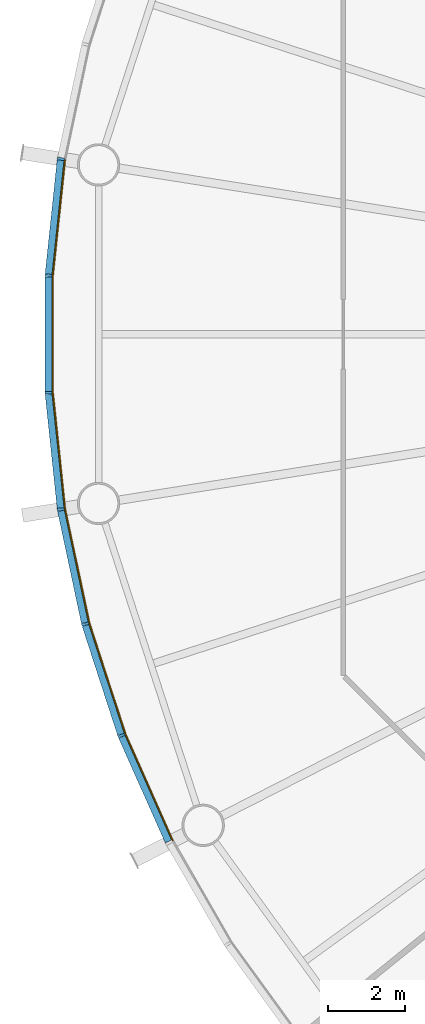
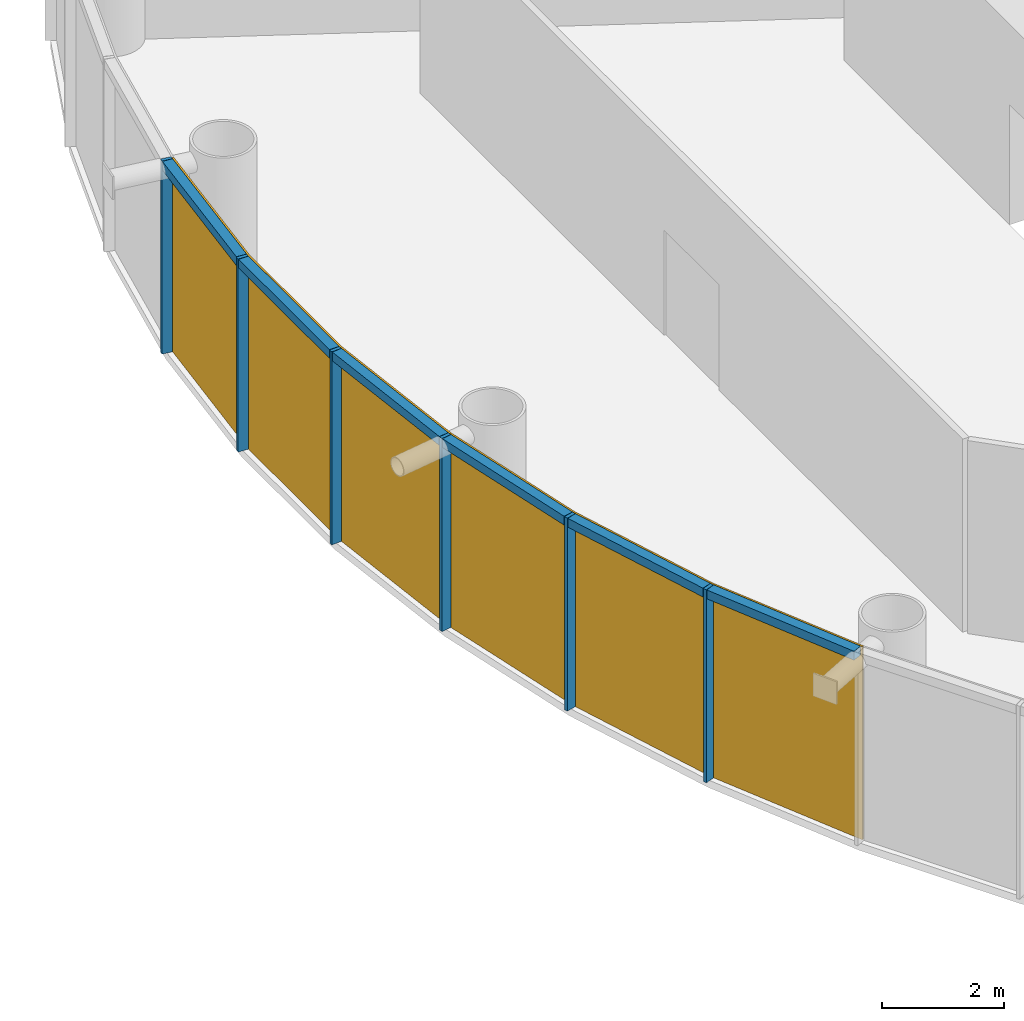
# One storey, part 12 of 17: 12 members, 2 curtain walls.
"""IFC4 building model written with IfcOpenShell, lengths in metres."""

import ifcopenshell
import ifcopenshell.guid

model = None  # the IFC model being written
_history = None  # IfcOwnerHistory: only IFC2X3 demands one
_inside = {}  # id of a spatial element -> (the spatial element, [elements in it])
_under = {}  # id of a project, library or spatial element -> (it, [spatial elements below it])
_declared = {}  # id of a project -> (the project, [libraries it declares])
_typed = {}  # id of a type object -> (the type object, [elements of that type])
_made_of = {}  # id of a material, layer set ... -> (it, [elements and type objects made of it])


def new_model(schema):
    """Start an empty IFC model of exactly this schema.

    Asked for "IFC4X3", IfcOpenShell would pick the latest addendum, in which some entities
    have other attributes; the version numbers below select the first issue.
    IFC2X3 requires an IfcOwnerHistory on every rooted entity: one is made here for all.
    """
    global model, _history
    if schema == "IFC4X3":
        model = ifcopenshell.file(schema_version=(4, 3, 0, 0))
    else:
        model = ifcopenshell.file(schema=schema)
    _inside.clear()
    _under.clear()
    _declared.clear()
    _typed.clear()
    _made_of.clear()
    _history = None
    if model.schema == "IFC2X3":
        org = make("IfcOrganization", Name="unknown")
        user = make(
            "IfcPersonAndOrganization",
            ThePerson=make("IfcPerson", FamilyName="unknown"),
            TheOrganization=org,
        )
        app = make(
            "IfcApplication",
            ApplicationDeveloper=org,
            Version="unknown",
            ApplicationFullName="unknown",
            ApplicationIdentifier="unknown",
        )
        _history = make(
            "IfcOwnerHistory",
            OwningUser=user,
            OwningApplication=app,
            ChangeAction="ADDED",
            CreationDate=0,
        )
    return model


def make(cls, **values):
    """One entity of the class cls with the attributes given. An attribute that is None is left unset."""
    return model.create_entity(
        cls, **{name: value for name, value in values.items() if value is not None}
    )


def rooted(cls, **values):
    """An entity with a GlobalId (a new one), such as an element, a storey or a relation."""
    return make(cls, GlobalId=ifcopenshell.guid.new(), OwnerHistory=_history, **values)


def si_unit(unit_type, name, prefix=None):
    """IfcSIUnit, for example si_unit("LENGTHUNIT", "METRE", prefix="MILLI")."""
    return make("IfcSIUnit", UnitType=unit_type, Prefix=prefix, Name=name)


def assignment(units):
    """IfcUnitAssignment: the units of a project."""
    return None if units is None else make("IfcUnitAssignment", Units=units)


def point(xyz):
    """IfcCartesianPoint."""
    return None if xyz is None else make("IfcCartesianPoint", Coordinates=xyz)


def direction(xyz):
    """IfcDirection."""
    return None if xyz is None else make("IfcDirection", DirectionRatios=xyz)


def frame(location, z_axis=None, x_axis=None):
    """IfcAxis2Placement3D, a coordinate frame: its origin and axes. An axis left out is left unset."""
    return make(
        "IfcAxis2Placement3D",
        Location=point(location),
        Axis=direction(z_axis),
        RefDirection=direction(x_axis),
    )


def frame_2d(location, x_axis=None):
    """IfcAxis2Placement2D, a coordinate frame in the plane: its origin and x axis."""
    return make(
        "IfcAxis2Placement2D", Location=point(location), RefDirection=direction(x_axis)
    )


def origin():
    """The frame at (0, 0, 0) with its axes left unset."""
    return frame((0.0, 0.0, 0.0))


def origin_2d():
    """The frame at (0, 0) in the plane with its x axis left unset."""
    return frame_2d((0.0, 0.0))


def place(relative_to, where):
    """IfcLocalPlacement: puts the frame where relative to a parent placement (None: the world)."""
    return make(
        "IfcLocalPlacement", PlacementRelTo=relative_to, RelativePlacement=where
    )


def context(
    kind, dimensions, precision=None, world=None, true_north=None, identifier=None
):
    """IfcGeometricRepresentationContext, for example the 3D "Model" context."""
    return make(
        "IfcGeometricRepresentationContext",
        ContextIdentifier=identifier,
        ContextType=kind,
        CoordinateSpaceDimension=dimensions,
        Precision=precision,
        WorldCoordinateSystem=world,
        TrueNorth=true_north,
    )


def subcontext(parent, identifier, kind, view, scale=None):
    """IfcGeometricRepresentationSubContext, for example "Body" below "Model"."""
    return make(
        "IfcGeometricRepresentationSubContext",
        ContextIdentifier=identifier,
        ContextType=kind,
        ParentContext=parent,
        TargetScale=scale,
        TargetView=view,
    )


def project(units=None, contexts=None):
    """IfcProject with its units and contexts."""
    return rooted(
        "IfcProject",
        Name="project",
        RepresentationContexts=contexts,
        UnitsInContext=assignment(units),
    )


def spatial(cls, under=None, at=None, **own):
    """A site, building, storey or space (cls), placed at a placement, below another one or the project."""
    s = rooted(cls, ObjectPlacement=at, **own)
    if under is not None:
        _under.setdefault(under.id(), (under, []))[1].append(s)
    return s


def polyline(points):
    """IfcPolyline through the points."""
    return make("IfcPolyline", Points=[point(p) for p in points])


def profile(cls, at=None, kind="AREA", **sizes):
    """A parametric profile (cls). Its sizes go by their IFC names, for example OverallWidth=200.0."""
    return make(cls, ProfileType=kind, Position=at, **sizes)


def rectangle(**sizes):
    """IfcRectangleProfileDef."""
    return profile("IfcRectangleProfileDef", **sizes)


def outline(outer, holes=None, kind="AREA"):
    """IfcArbitraryClosedProfileDef: a profile drawn as a closed curve; with holes, ...WithVoids."""
    if holes is None:
        return make("IfcArbitraryClosedProfileDef", ProfileType=kind, OuterCurve=outer)
    return make(
        "IfcArbitraryProfileDefWithVoids",
        ProfileType=kind,
        OuterCurve=outer,
        InnerCurves=holes,
    )


def extrude(swept, where, along, depth):
    """IfcExtrudedAreaSolid: the profile swept, set in the frame where, extruded along a direction by depth."""
    return make(
        "IfcExtrudedAreaSolid",
        SweptArea=swept,
        Position=where,
        ExtrudedDirection=direction(along),
        Depth=depth,
    )


def shape(context_of_items, identifier, shape_type, items):
    """IfcShapeRepresentation: the items that make up one representation, for example the "Body"."""
    return make(
        "IfcShapeRepresentation",
        ContextOfItems=context_of_items,
        RepresentationIdentifier=identifier,
        RepresentationType=shape_type,
        Items=items,
    )


def material(Name=None, Category=None):
    """IfcMaterial."""
    return make("IfcMaterial", Name=Name, Category=Category)


def layer(
    of_material, thickness, ventilated=None, Name=None, Category=None, Priority=None
):
    """IfcMaterialLayer: one layer of a wall or slab, of a material (None: an air gap)."""
    return make(
        "IfcMaterialLayer",
        Material=of_material,
        LayerThickness=thickness,
        IsVentilated=ventilated,
        Name=Name,
        Category=Category,
        Priority=Priority,
    )


def layer_set(layers, Name=None):
    """IfcMaterialLayerSet."""
    return make("IfcMaterialLayerSet", MaterialLayers=layers, LayerSetName=Name)


def material_profile(
    of_material, cross_section, Name=None, Category=None, Priority=None
):
    """IfcMaterialProfile: a cross section and its material."""
    return make(
        "IfcMaterialProfile",
        Name=Name,
        Material=of_material,
        Profile=cross_section,
        Priority=Priority,
        Category=Category,
    )


def profile_set(profiles, Name=None, composite=None):
    """IfcMaterialProfileSet."""
    return make(
        "IfcMaterialProfileSet",
        Name=Name,
        MaterialProfiles=profiles,
        CompositeProfile=composite,
    )


def made_of(thing, what):
    """Note that an element or type object is made of a material, layer set ...; save() writes the relation."""
    if what is not None:
        _made_of.setdefault(what.id(), (what, []))[1].append(thing)
    return thing


def type_object(cls, material=None, **own):
    """A type object (cls), such as IfcWallType, which elements share."""
    return made_of(rooted(cls, **own), material)


def element(
    cls,
    number,
    at=None,
    inside=None,
    cuts=None,
    type_object=None,
    material=None,
    context=None,
    identifier="Body",
    shape_type=None,
    held_by="IfcProductDefinitionShape",
    body=None,
    shapes=None,
    **own,
):
    """One element of the class cls, such as IfcWall. Its Tag is "e" and its number.

    at: its placement. inside: the storey or other place that contains it. cuts: it is an
    opening in that element (IfcRelVoidsElement). A single representation is given by context,
    identifier, shape_type and body (its items); several are given by shapes. held_by: the class
    of the entity that holds the representations. save() writes the other relations.
    """
    e = rooted(cls, Tag="e%d" % number, ObjectPlacement=at, **own)
    if body is not None:
        shapes = [shape(context, identifier, shape_type, body)]
    if shapes is not None:
        e.Representation = make(held_by, Representations=shapes)
    if inside is not None:
        _inside.setdefault(inside.id(), (inside, []))[1].append(e)
    if cuts is not None:
        rooted(
            "IfcRelVoidsElement", RelatingBuildingElement=cuts, RelatedOpeningElement=e
        )
    if type_object is not None:
        _typed.setdefault(type_object.id(), (type_object, []))[1].append(e)
    return made_of(e, material)


def aggregate(whole, parts):
    """IfcRelAggregates: a whole, such as a stair, and the parts it consists of."""
    return rooted("IfcRelAggregates", RelatingObject=whole, RelatedObjects=parts)


def save(model, path):
    """Write the relations noted so far, then the file.

    IfcRelAggregates (storeys below a building ...), IfcRelContainedInSpatialStructure (elements
    in a storey), IfcRelDefinesByType, IfcRelAssociatesMaterial and IfcRelDeclares: one each for
    every whole, place, type object, material and project.
    """
    for whole, parts in _under.values():
        aggregate(whole, parts)
    for where, things in _inside.values():
        rooted(
            "IfcRelContainedInSpatialStructure",
            RelatedElements=things,
            RelatingStructure=where,
        )
    for kind, things in _typed.values():
        rooted("IfcRelDefinesByType", RelatedObjects=things, RelatingType=kind)
    for what, things in _made_of.values():
        rooted("IfcRelAssociatesMaterial", RelatedObjects=things, RelatingMaterial=what)
    for by, libraries in _declared.values():
        rooted("IfcRelDeclares", RelatingContext=by, RelatedDefinitions=libraries)
    model.write(path)


model = new_model("IFC4")

# Units and contexts
model_context = context("Model", 3, precision=1e-05, world=origin(), true_north=direction((0.0, 1.0)))
body_context = subcontext(model_context, "Body", "Model", "MODEL_VIEW")
ifc_project = project(units=[si_unit("LENGTHUNIT", "METRE"), si_unit("AREAUNIT", "SQUARE_METRE"), si_unit("VOLUMEUNIT", "CUBIC_METRE"), si_unit("PLANEANGLEUNIT", "RADIAN"), si_unit("MASSUNIT", "GRAM", prefix="KILO")], contexts=[model_context])

# Member
ifc_material_1 = material(Name="Anodised aluminium", Category="aluminium")
ifc_material_profile_1 = material_profile(ifc_material_1, rectangle(XDim=0.06494140625, YDim=0.18505859375, at=origin_2d()), Name="Mullion 65 x 185 mm anodised aluminium")
ifc_profile_set_1 = profile_set([ifc_material_profile_1], Name="Anodised aluminium")
member_type_1 = type_object("IfcMemberType", Name="Mullion 65 x 185 mm anodised aluminium", PredefinedType="MULLION", material=ifc_profile_set_1)
site_placement = place(None, origin())
building_placement = place(site_placement, origin())
storey_placement = place(building_placement, frame((0.0, 0.0, 176.0)))
member_1_placement = place(storey_placement, frame((61.265625, 84.551025390625, 0.0), z_axis=(0.0, 0.0, 1.0), x_axis=(-0.15643446504, -0.987688340595, 0.0)))
member_1 = element("IfcMember", 1, at=member_1_placement, type_object=member_type_1, Name="MULLION L40-27", PredefinedType="MULLION", context=body_context, shape_type="SweptSolid", body=[
    extrude(rectangle(XDim=0.06494140625, YDim=0.18505859375, at=origin_2d()), origin(), (0.0, 0.0, 1.0), 3.85009765625),
])

member_2_placement = place(storey_placement, frame((60.947265625, 81.522705078125, 0.0), z_axis=(0.0, 0.0, 1.0), x_axis=(-0.052335956243, -0.998629534755, 0.0)))
member_2 = element("IfcMember", 2, at=member_2_placement, type_object=member_type_1, Name="MULLION L40-28", PredefinedType="MULLION", context=body_context, shape_type="SweptSolid", body=[
    extrude(rectangle(XDim=0.06494140625, YDim=0.18505859375, at=origin_2d()), origin(), (0.0, 0.0, 1.0), 3.85009765625),
])

member_3_placement = place(storey_placement, frame((60.947265625, 78.477294921875, 0.0), z_axis=(0.0, 0.0, 1.0), x_axis=(0.052335956243, -0.998629534755, 0.0)))
member_3 = element("IfcMember", 3, at=member_3_placement, type_object=member_type_1, Name="MULLION L40-29", PredefinedType="MULLION", context=body_context, shape_type="SweptSolid", body=[
    extrude(rectangle(XDim=0.06494140625, YDim=0.18505859375, at=origin_2d()), origin(), (0.0, 0.0, 1.0), 3.85009765625),
])

member_4_placement = place(storey_placement, frame((61.265625, 75.448974609375, 0.0), z_axis=(0.0, 0.0, 1.0), x_axis=(0.15643446504, -0.987688340595, 0.0)))
member_4 = element("IfcMember", 4, at=member_4_placement, type_object=member_type_1, Name="MULLION L40-30", PredefinedType="MULLION", context=body_context, shape_type="SweptSolid", body=[
    extrude(rectangle(XDim=0.06494140625, YDim=0.18505859375, at=origin_2d()), origin(), (0.0, 0.0, 1.0), 3.85009765625),
])

member_5_placement = place(storey_placement, frame((61.898681640625, 72.47021484375, 0.0), z_axis=(0.0, 0.0, 1.0), x_axis=(0.258819045103, -0.965925826289, 0.0)))
member_5 = element("IfcMember", 5, at=member_5_placement, type_object=member_type_1, Name="MULLION L40-31", PredefinedType="MULLION", context=body_context, shape_type="SweptSolid", body=[
    extrude(rectangle(XDim=0.06494140625, YDim=0.18505859375, at=origin_2d()), origin(), (0.0, 0.0, 1.0), 3.85009765625),
])

member_6_placement = place(storey_placement, frame((62.83984375, 69.57421875, 0.0), z_axis=(0.0, 0.0, 1.0), x_axis=(0.358367949545, -0.933580426497, 0.0)))
member_6 = element("IfcMember", 6, at=member_6_placement, type_object=member_type_1, Name="MULLION L40-32", PredefinedType="MULLION", context=body_context, shape_type="SweptSolid", body=[
    extrude(rectangle(XDim=0.06494140625, YDim=0.18505859375, at=origin_2d()), origin(), (0.0, 0.0, 1.0), 3.85009765625),
])

ifc_material_2 = material(Name="Anodised aluminium", Category="aluminium")
ifc_material_profile_2 = material_profile(ifc_material_2, rectangle(XDim=0.18505859375, YDim=0.175048828125, at=origin_2d()), Name="Transom 175 x 185 mm anodised aluminium")
ifc_profile_set_2 = profile_set([ifc_material_profile_2], Name="Anodised aluminium")
member_type_2 = type_object("IfcMemberType", Name="Transom 175 x 185 mm anodised aluminium", PredefinedType="USERDEFINED", material=ifc_profile_set_2)
member_7_placement = place(storey_placement, frame((61.26171875, 84.513916015625, 3.762451171875), z_axis=(-0.104547872381, -0.994519855197, 0.0), x_axis=(0.994519855197, -0.104547872381, 0.0)))
member_7 = element("IfcMember", 7, at=member_7_placement, type_object=member_type_2, Name="TRANSOM L40-27", ObjectType="TRANSOM", PredefinedType="USERDEFINED", context=body_context, shape_type="SweptSolid", body=[
    extrude(rectangle(XDim=0.18505859375, YDim=0.175048828125, at=origin_2d()), origin(), (0.0, 0.0, 1.0), 2.970458984375),
])

member_8_placement = place(storey_placement, frame((60.947265625, 81.4853515625, 3.762451171875), z_axis=(0.0, -1.0, 0.0), x_axis=(1.0, 0.0, 0.0)))
member_8 = element("IfcMember", 8, at=member_8_placement, type_object=member_type_2, Name="TRANSOM L40-28", ObjectType="TRANSOM", PredefinedType="USERDEFINED", context=body_context, shape_type="SweptSolid", body=[
    extrude(rectangle(XDim=0.18505859375, YDim=0.175048828125, at=origin_2d()), origin(), (0.0, 0.0, 1.0), 2.970703125),
])

member_9_placement = place(storey_placement, frame((60.951171875, 78.440185546875, 3.762451171875), z_axis=(0.104547872381, -0.994519855197, 0.0), x_axis=(0.994519855197, 0.104547872381, 0.0)))
member_9 = element("IfcMember", 9, at=member_9_placement, type_object=member_type_2, Name="TRANSOM L40-29", ObjectType="TRANSOM", PredefinedType="USERDEFINED", context=body_context, shape_type="SweptSolid", body=[
    extrude(rectangle(XDim=0.18505859375, YDim=0.175048828125, at=origin_2d()), origin(), (0.0, 0.0, 1.0), 2.970458984375),
])

member_10_placement = place(storey_placement, frame((61.2734375, 75.412353515625, 3.762451171875), z_axis=(0.207861704825, -0.97815822425, 0.0), x_axis=(0.97815822425, 0.207861704825, 0.0)))
member_10 = element("IfcMember", 10, at=member_10_placement, type_object=member_type_2, Name="TRANSOM L40-30", ObjectType="TRANSOM", PredefinedType="USERDEFINED", context=body_context, shape_type="SweptSolid", body=[
    extrude(rectangle(XDim=0.18505859375, YDim=0.175048828125, at=origin_2d()), origin(), (0.0, 0.0, 1.0), 2.970458984375),
])

member_11_placement = place(storey_placement, frame((61.91015625, 72.434814453125, 3.762451171875), z_axis=(0.30901917063, -0.951055809184, 0.0), x_axis=(0.951055809184, 0.30901917063, 0.0)))
member_11 = element("IfcMember", 11, at=member_11_placement, type_object=member_type_2, Name="TRANSOM L40-31", ObjectType="TRANSOM", PredefinedType="USERDEFINED", context=body_context, shape_type="SweptSolid", body=[
    extrude(rectangle(XDim=0.18505859375, YDim=0.175048828125, at=origin_2d()), origin(), (0.0, 0.0, 1.0), 2.970703125),
])

member_12_placement = place(storey_placement, frame((62.85498046875, 69.5400390625, 3.762451171875), z_axis=(0.406687471156, -0.913567348806, 0.0), x_axis=(0.913567348806, 0.406687471156, 0.0)))
member_12 = element("IfcMember", 12, at=member_12_placement, type_object=member_type_2, Name="TRANSOM L40-32", ObjectType="TRANSOM", PredefinedType="USERDEFINED", context=body_context, shape_type="SweptSolid", body=[
    extrude(rectangle(XDim=0.18505859375, YDim=0.175048828125, at=origin_2d()), origin(), (0.0, 0.0, 1.0), 2.970458984375),
])

# Site, building, storey
site = spatial("IfcSite", under=ifc_project, at=site_placement, CompositionType="ELEMENT")
building = spatial("IfcBuilding", under=site, at=building_placement, Name="Entoto Ring Tower", CompositionType="ELEMENT")
storey = spatial("IfcBuildingStorey", under=building, at=storey_placement, Name="L40", CompositionType="ELEMENT", Elevation=176.0)

# Curtain wall
ifc_material_3 = material(Name="Clear low-iron glass", Category="glass")
ifc_layer = layer(ifc_material_3, 0.033935546875)
ifc_layer_set = layer_set([ifc_layer], Name="Clear low-iron glass")
curtain_wall_type = type_object("IfcCurtainWallType", Name="Curtain wall system CW3 glazing 34 mm", PredefinedType="NOTDEFINED", material=ifc_layer_set)
curtain_wall_1_placement = place(storey_placement, origin())
curtain_wall_1 = element("IfcCurtainWall", 13, at=curtain_wall_1_placement, inside=storey, type_object=curtain_wall_type, Name="CW3 L40-10", PredefinedType="NOTDEFINED", context=body_context, shape_type="SweptSolid", body=[
    extrude(outline(polyline([(61.35693359375, 84.53662109375), (61.039794921875, 81.517822265625), (61.039794921875, 78.482177734375), (61.35693359375, 75.46337890625), (61.390625, 75.46875), (61.07373046875, 78.484130859375), (61.07373046875, 81.515869140625), (61.390625, 84.53125), (61.35693359375, 84.53662109375)])), origin(), (0.0, 0.0, 1.0), 3.85009765625),
])

aggregate(curtain_wall_1, [member_1, member_2, member_3, member_7, member_8, member_9])

curtain_wall_2_placement = place(storey_placement, origin())
curtain_wall_2 = element("IfcCurtainWall", 14, at=curtain_wall_2_placement, inside=storey, type_object=curtain_wall_type, Name="CW3 L40-11", PredefinedType="NOTDEFINED", context=body_context, shape_type="SweptSolid", body=[
    extrude(outline(polyline([(61.35693359375, 75.46337890625), (61.988037109375, 72.494140625), (62.92626953125, 69.607421875), (64.160888671875, 66.834228515625), (64.191162109375, 66.849853515625), (62.9580078125, 69.61962890625), (62.02099609375, 72.503173828125), (61.390625, 75.46875), (61.35693359375, 75.46337890625)])), origin(), (0.0, 0.0, 1.0), 3.85009765625),
])

aggregate(curtain_wall_2, [member_4, member_5, member_6, member_10, member_11, member_12])

save(model, "model.ifc")
